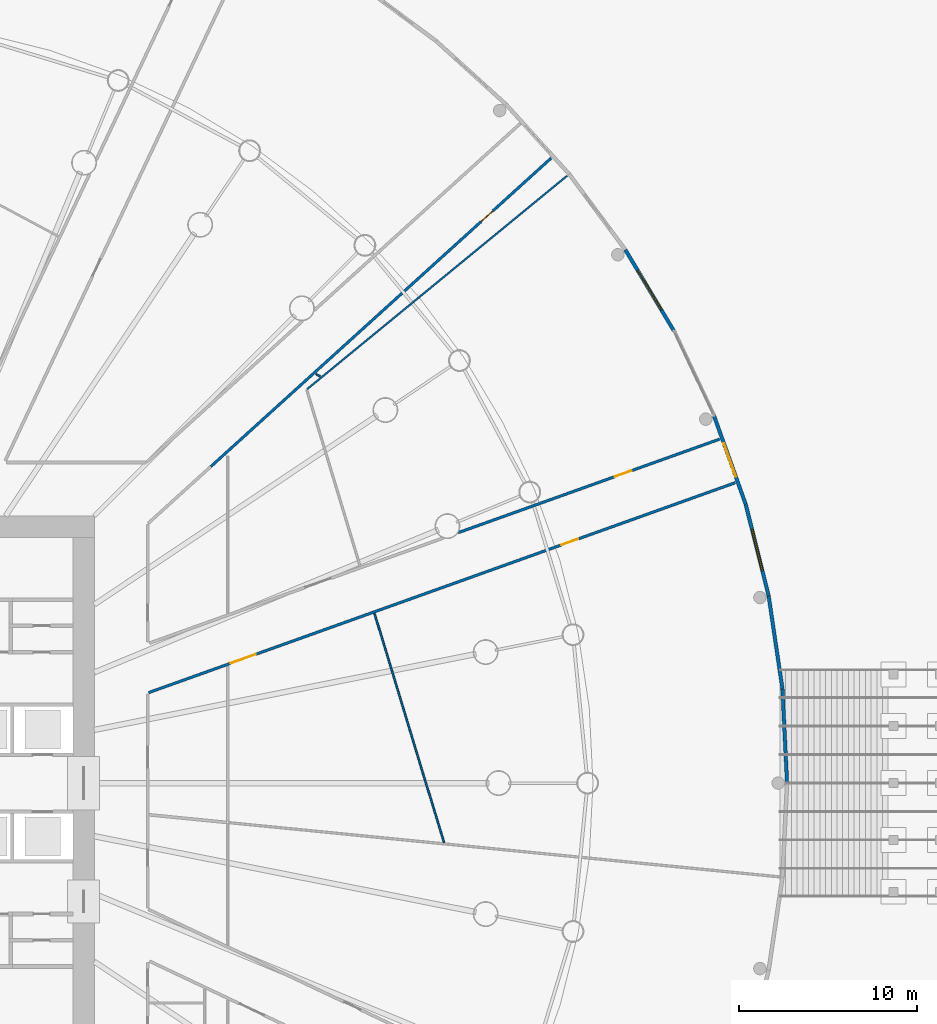
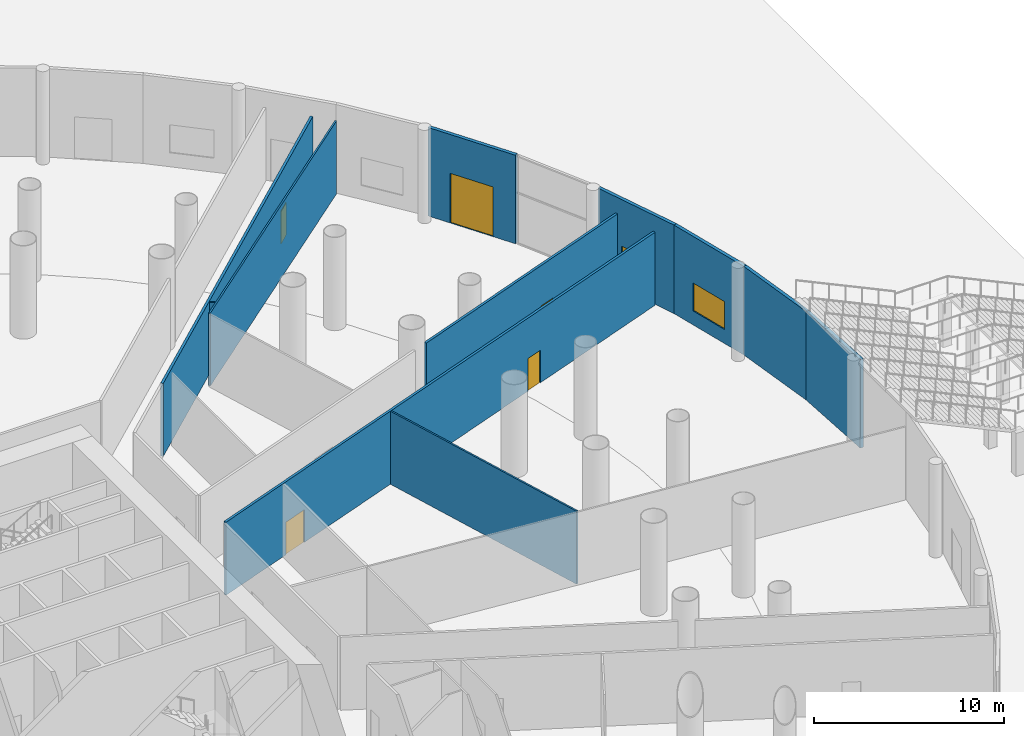
# One storey, part 22 of 33: 11 walls, 6 doors, 1 window, 7 openings.
"""IFC4 building model written with IfcOpenShell, lengths in metres."""

import ifcopenshell
import ifcopenshell.guid

model = None  # the IFC model being written
_history = None  # IfcOwnerHistory: only IFC2X3 demands one
_inside = {}  # id of a spatial element -> (the spatial element, [elements in it])
_under = {}  # id of a project, library or spatial element -> (it, [spatial elements below it])
_declared = {}  # id of a project -> (the project, [libraries it declares])
_typed = {}  # id of a type object -> (the type object, [elements of that type])
_made_of = {}  # id of a material, layer set ... -> (it, [elements and type objects made of it])


def new_model(schema):
    """Start an empty IFC model of exactly this schema.

    Asked for "IFC4X3", IfcOpenShell would pick the latest addendum, in which some entities
    have other attributes; the version numbers below select the first issue.
    IFC2X3 requires an IfcOwnerHistory on every rooted entity: one is made here for all.
    """
    global model, _history
    if schema == "IFC4X3":
        model = ifcopenshell.file(schema_version=(4, 3, 0, 0))
    else:
        model = ifcopenshell.file(schema=schema)
    _inside.clear()
    _under.clear()
    _declared.clear()
    _typed.clear()
    _made_of.clear()
    _history = None
    if model.schema == "IFC2X3":
        org = make("IfcOrganization", Name="unknown")
        user = make(
            "IfcPersonAndOrganization",
            ThePerson=make("IfcPerson", FamilyName="unknown"),
            TheOrganization=org,
        )
        app = make(
            "IfcApplication",
            ApplicationDeveloper=org,
            Version="unknown",
            ApplicationFullName="unknown",
            ApplicationIdentifier="unknown",
        )
        _history = make(
            "IfcOwnerHistory",
            OwningUser=user,
            OwningApplication=app,
            ChangeAction="ADDED",
            CreationDate=0,
        )
    return model


def make(cls, **values):
    """One entity of the class cls with the attributes given. An attribute that is None is left unset."""
    return model.create_entity(
        cls, **{name: value for name, value in values.items() if value is not None}
    )


def rooted(cls, **values):
    """An entity with a GlobalId (a new one), such as an element, a storey or a relation."""
    return make(cls, GlobalId=ifcopenshell.guid.new(), OwnerHistory=_history, **values)


def si_unit(unit_type, name, prefix=None):
    """IfcSIUnit, for example si_unit("LENGTHUNIT", "METRE", prefix="MILLI")."""
    return make("IfcSIUnit", UnitType=unit_type, Prefix=prefix, Name=name)


def assignment(units):
    """IfcUnitAssignment: the units of a project."""
    return None if units is None else make("IfcUnitAssignment", Units=units)


def point(xyz):
    """IfcCartesianPoint."""
    return None if xyz is None else make("IfcCartesianPoint", Coordinates=xyz)


def direction(xyz):
    """IfcDirection."""
    return None if xyz is None else make("IfcDirection", DirectionRatios=xyz)


def frame(location, z_axis=None, x_axis=None):
    """IfcAxis2Placement3D, a coordinate frame: its origin and axes. An axis left out is left unset."""
    return make(
        "IfcAxis2Placement3D",
        Location=point(location),
        Axis=direction(z_axis),
        RefDirection=direction(x_axis),
    )


def frame_2d(location, x_axis=None):
    """IfcAxis2Placement2D, a coordinate frame in the plane: its origin and x axis."""
    return make(
        "IfcAxis2Placement2D", Location=point(location), RefDirection=direction(x_axis)
    )


def origin():
    """The frame at (0, 0, 0) with its axes left unset."""
    return frame((0.0, 0.0, 0.0))


def place(relative_to, where):
    """IfcLocalPlacement: puts the frame where relative to a parent placement (None: the world)."""
    return make(
        "IfcLocalPlacement", PlacementRelTo=relative_to, RelativePlacement=where
    )


def context(
    kind, dimensions, precision=None, world=None, true_north=None, identifier=None
):
    """IfcGeometricRepresentationContext, for example the 3D "Model" context."""
    return make(
        "IfcGeometricRepresentationContext",
        ContextIdentifier=identifier,
        ContextType=kind,
        CoordinateSpaceDimension=dimensions,
        Precision=precision,
        WorldCoordinateSystem=world,
        TrueNorth=true_north,
    )


def subcontext(parent, identifier, kind, view, scale=None):
    """IfcGeometricRepresentationSubContext, for example "Body" below "Model"."""
    return make(
        "IfcGeometricRepresentationSubContext",
        ContextIdentifier=identifier,
        ContextType=kind,
        ParentContext=parent,
        TargetScale=scale,
        TargetView=view,
    )


def project(units=None, contexts=None):
    """IfcProject with its units and contexts."""
    return rooted(
        "IfcProject",
        Name="project",
        RepresentationContexts=contexts,
        UnitsInContext=assignment(units),
    )


def spatial(cls, under=None, at=None, **own):
    """A site, building, storey or space (cls), placed at a placement, below another one or the project."""
    s = rooted(cls, ObjectPlacement=at, **own)
    if under is not None:
        _under.setdefault(under.id(), (under, []))[1].append(s)
    return s


def profile(cls, at=None, kind="AREA", **sizes):
    """A parametric profile (cls). Its sizes go by their IFC names, for example OverallWidth=200.0."""
    return make(cls, ProfileType=kind, Position=at, **sizes)


def rectangle(**sizes):
    """IfcRectangleProfileDef."""
    return profile("IfcRectangleProfileDef", **sizes)


def extrude(swept, where, along, depth):
    """IfcExtrudedAreaSolid: the profile swept, set in the frame where, extruded along a direction by depth."""
    return make(
        "IfcExtrudedAreaSolid",
        SweptArea=swept,
        Position=where,
        ExtrudedDirection=direction(along),
        Depth=depth,
    )


def shape(context_of_items, identifier, shape_type, items):
    """IfcShapeRepresentation: the items that make up one representation, for example the "Body"."""
    return make(
        "IfcShapeRepresentation",
        ContextOfItems=context_of_items,
        RepresentationIdentifier=identifier,
        RepresentationType=shape_type,
        Items=items,
    )


def material(Name=None, Category=None):
    """IfcMaterial."""
    return make("IfcMaterial", Name=Name, Category=Category)


def layer(
    of_material, thickness, ventilated=None, Name=None, Category=None, Priority=None
):
    """IfcMaterialLayer: one layer of a wall or slab, of a material (None: an air gap)."""
    return make(
        "IfcMaterialLayer",
        Material=of_material,
        LayerThickness=thickness,
        IsVentilated=ventilated,
        Name=Name,
        Category=Category,
        Priority=Priority,
    )


def layer_set(layers, Name=None):
    """IfcMaterialLayerSet."""
    return make("IfcMaterialLayerSet", MaterialLayers=layers, LayerSetName=Name)


def made_of(thing, what):
    """Note that an element or type object is made of a material, layer set ...; save() writes the relation."""
    if what is not None:
        _made_of.setdefault(what.id(), (what, []))[1].append(thing)
    return thing


def type_object(cls, material=None, **own):
    """A type object (cls), such as IfcWallType, which elements share."""
    return made_of(rooted(cls, **own), material)


def element(
    cls,
    number,
    at=None,
    inside=None,
    cuts=None,
    type_object=None,
    material=None,
    context=None,
    identifier="Body",
    shape_type=None,
    held_by="IfcProductDefinitionShape",
    body=None,
    shapes=None,
    **own,
):
    """One element of the class cls, such as IfcWall. Its Tag is "e" and its number.

    at: its placement. inside: the storey or other place that contains it. cuts: it is an
    opening in that element (IfcRelVoidsElement). A single representation is given by context,
    identifier, shape_type and body (its items); several are given by shapes. held_by: the class
    of the entity that holds the representations. save() writes the other relations.
    """
    e = rooted(cls, Tag="e%d" % number, ObjectPlacement=at, **own)
    if body is not None:
        shapes = [shape(context, identifier, shape_type, body)]
    if shapes is not None:
        e.Representation = make(held_by, Representations=shapes)
    if inside is not None:
        _inside.setdefault(inside.id(), (inside, []))[1].append(e)
    if cuts is not None:
        rooted(
            "IfcRelVoidsElement", RelatingBuildingElement=cuts, RelatedOpeningElement=e
        )
    if type_object is not None:
        _typed.setdefault(type_object.id(), (type_object, []))[1].append(e)
    return made_of(e, material)


def fill(opening, filler):
    """IfcRelFillsElement: the door or window that sits in an opening."""
    return rooted(
        "IfcRelFillsElement",
        RelatingOpeningElement=opening,
        RelatedBuildingElement=filler,
    )


def aggregate(whole, parts):
    """IfcRelAggregates: a whole, such as a stair, and the parts it consists of."""
    return rooted("IfcRelAggregates", RelatingObject=whole, RelatedObjects=parts)


def save(model, path):
    """Write the relations noted so far, then the file.

    IfcRelAggregates (storeys below a building ...), IfcRelContainedInSpatialStructure (elements
    in a storey), IfcRelDefinesByType, IfcRelAssociatesMaterial and IfcRelDeclares: one each for
    every whole, place, type object, material and project.
    """
    for whole, parts in _under.values():
        aggregate(whole, parts)
    for where, things in _inside.values():
        rooted(
            "IfcRelContainedInSpatialStructure",
            RelatedElements=things,
            RelatingStructure=where,
        )
    for kind, things in _typed.values():
        rooted("IfcRelDefinesByType", RelatedObjects=things, RelatingType=kind)
    for what, things in _made_of.values():
        rooted("IfcRelAssociatesMaterial", RelatedObjects=things, RelatingMaterial=what)
    for by, libraries in _declared.values():
        rooted("IfcRelDeclares", RelatingContext=by, RelatedDefinitions=libraries)
    model.write(path)


model = new_model("IFC4")

# Units and contexts
model_context = context("Model", 3, precision=1e-05, world=origin(), true_north=direction((0.0, 1.0)))
body_context = subcontext(model_context, "Body", "Model", "MODEL_VIEW")
ifc_project = project(units=[si_unit("LENGTHUNIT", "METRE"), si_unit("AREAUNIT", "SQUARE_METRE"), si_unit("VOLUMEUNIT", "CUBIC_METRE"), si_unit("PLANEANGLEUNIT", "RADIAN"), si_unit("MASSUNIT", "GRAM", prefix="KILO")], contexts=[model_context])

# Site, building, storey
site_placement = place(None, origin())
site = spatial("IfcSite", under=ifc_project, at=site_placement, CompositionType="ELEMENT")
building_placement = place(site_placement, origin())
building = spatial("IfcBuilding", under=site, at=building_placement, Name="Corvane Civic Tower", CompositionType="ELEMENT")
storey_placement = place(building_placement, origin())
storey = spatial("IfcBuildingStorey", under=building, at=storey_placement, Name="G", CompositionType="ELEMENT", Elevation=0.0)

# Wall, opening, door
ifc_material_1 = material(Name="Limestone cladding", Category="masonry")
ifc_layer_1 = layer(ifc_material_1, 0.199951171875)
ifc_layer_set_1 = layer_set([ifc_layer_1], Name="Limestone cladding")
wall_type_1 = type_object("IfcWallType", Name="PODIUM-W-PLINTH-200", PredefinedType="SOLIDWALL", material=ifc_layer_set_1)
wall_1_placement = place(storey_placement, frame((44.81884765625, 29.940673828125, 0.0), z_axis=(0.0, 0.0, 1.0), x_axis=(0.514114856697, -0.857721349929, 0.0)))
wall_1 = element("IfcWall", 1, at=wall_1_placement, inside=storey, type_object=wall_type_1, Name="Plinth stone wall 06A", PredefinedType="SOLIDWALL", context=body_context, shape_type="SweptSolid", body=[
    extrude(rectangle(XDim=5.279296875, YDim=0.199951171875, at=frame_2d((2.6396484375, 0.0))), origin(), (0.0, 0.0, 1.0), 5.699951171875),
])
opening_1_placement = place(wall_1_placement, frame((1.339599609375, 0.0, 0.0)))
opening_1 = element("IfcOpeningElement", 2, at=opening_1_placement, cuts=wall_1, Name="Opening ED-G-E06", PredefinedType="OPENING", context=body_context, shape_type="SweptSolid", body=[
    extrude(rectangle(XDim=2.60009765625, YDim=3.199951171875, at=frame_2d((1.300048828125, 1.60009765625))), frame((0.0, 0.10986328125, 0.0), z_axis=(0.0, -1.0, 0.0), x_axis=(1.0, 0.0, 0.0)), (0.0, 0.0, 1.0), 0.219970703125),
])
ifc_material_2 = material(Name="Anodised aluminium and glass", Category="aluminium")
door_type_1 = type_object("IfcDoorType", Name="PODIUM-D-ENTRANCE-2600", OperationType="DOUBLE_DOOR_DOUBLE_SWING", PredefinedType="DOOR", material=ifc_material_2)
door_1_placement = place(opening_1_placement, origin())
door_1 = element("IfcDoor", 3, at=door_1_placement, inside=storey, type_object=door_type_1, Name="Entrance door 06", OperationType="DOUBLE_DOOR_DOUBLE_SWING", OverallHeight=3.199951171875, OverallWidth=2.60009765625, PredefinedType="DOOR", context=body_context, shape_type="SweptSolid", body=[
    extrude(rectangle(XDim=2.60009765625, YDim=3.199951171875, at=frame_2d((1.300048828125, 1.60009765625))), frame((0.0, 0.02490234375, 0.0), z_axis=(0.0, -1.0, 0.0), x_axis=(1.0, 0.0, 0.0)), (0.0, 0.0, 1.0), 0.050048828125),
])
fill(opening_1, door_1)

wall_2_placement = place(storey_placement, frame((49.798583984375, 20.62158203125, 0.0), z_axis=(0.0, 0.0, 1.0), x_axis=(0.336933944331, -0.941528288028, 0.0)))
wall_2 = element("IfcWall", 4, at=wall_2_placement, inside=storey, type_object=wall_type_1, Name="Plinth stone wall 07A", PredefinedType="SOLIDWALL", context=body_context, shape_type="SweptSolid", body=[
    extrude(rectangle(XDim=5.279296875, YDim=0.199951171875, at=frame_2d((2.6396484375, 0.0))), origin(), (0.0, 0.0, 1.0), 5.699951171875),
])
opening_2_placement = place(wall_2_placement, frame((1.6396484375, 0.0, 0.0)))
opening_2 = element("IfcOpeningElement", 5, at=opening_2_placement, cuts=wall_2, Name="Opening ED-G-X07", PredefinedType="OPENING", context=body_context, shape_type="SweptSolid", body=[
    extrude(rectangle(XDim=2.0, YDim=2.699951171875, at=frame_2d((1.0, 1.35009765625))), frame((0.0, 0.10986328125, 0.0), z_axis=(0.0, -1.0, 0.0), x_axis=(1.0, 0.0, 0.0)), (0.0, 0.0, 1.0), 0.219970703125),
])
ifc_material_3 = material(Name="Anodised aluminium and glass", Category="aluminium")
door_type_2 = type_object("IfcDoorType", Name="PODIUM-D-EXIT-2000", OperationType="DOUBLE_DOOR_SINGLE_SWING", PredefinedType="DOOR", material=ifc_material_3)
door_2_placement = place(opening_2_placement, origin())
door_2 = element("IfcDoor", 6, at=door_2_placement, inside=storey, type_object=door_type_2, Name="Exit door 07", OperationType="DOUBLE_DOOR_SINGLE_SWING", OverallHeight=2.699951171875, OverallWidth=2.0, PredefinedType="DOOR", context=body_context, shape_type="SweptSolid", body=[
    extrude(rectangle(XDim=2.0, YDim=2.699951171875, at=frame_2d((1.0, 1.35009765625))), frame((0.0, 0.02490234375, 0.0), z_axis=(0.0, -1.0, 0.0), x_axis=(1.0, 0.0, 0.0)), (0.0, 0.0, 1.0), 0.050048828125),
])
fill(opening_2, door_2)

# Wall, opening, window
wall_3_placement = place(storey_placement, frame((51.580078125, 15.641357421875, 0.0), z_axis=(0.0, 0.0, 1.0), x_axis=(0.243014361132, -0.970022690602, 0.0)))
wall_3 = element("IfcWall", 7, at=wall_3_placement, inside=storey, type_object=wall_type_1, Name="Plinth stone wall 07B", PredefinedType="SOLIDWALL", context=body_context, shape_type="SweptSolid", body=[
    extrude(rectangle(XDim=5.279296875, YDim=0.199951171875, at=frame_2d((2.6396484375, 0.0))), origin(), (0.0, 0.0, 1.0), 5.699951171875),
])
opening_3_placement = place(wall_3_placement, frame((1.439697265625, 0.0, 0.89990234375)))
opening_3 = element("IfcOpeningElement", 8, at=opening_3_placement, cuts=wall_3, Name="Opening EW-G-07", PredefinedType="OPENING", context=body_context, shape_type="SweptSolid", body=[
    extrude(rectangle(XDim=2.39990234375, YDim=1.800048828125, at=frame_2d((1.199951171875, 0.89990234375))), frame((0.0, 0.10986328125, 0.0), z_axis=(0.0, -1.0, 0.0), x_axis=(1.0, 0.0, 0.0)), (0.0, 0.0, 1.0), 0.219970703125),
])
ifc_material_4 = material(Name="Anodised aluminium and glass", Category="aluminium")
window_type = type_object("IfcWindowType", Name="PODIUM-WN-PLINTH-2400x1800", PartitioningType="DOUBLE_PANEL_VERTICAL", PredefinedType="WINDOW", material=ifc_material_4)
window_placement = place(opening_3_placement, origin())
window = element("IfcWindow", 9, at=window_placement, inside=storey, type_object=window_type, Name="Public hall window 07", OverallHeight=1.800048828125, OverallWidth=2.39990234375, PartitioningType="SINGLE_PANEL", PredefinedType="WINDOW", context=body_context, shape_type="SweptSolid", body=[
    extrude(rectangle(XDim=2.39990234375, YDim=1.800048828125, at=frame_2d((1.199951171875, 0.89990234375))), frame((0.0, 0.030029296875, 0.0), z_axis=(0.0, -1.0, 0.0), x_axis=(1.0, 0.0, 0.0)), (0.0, 0.0, 1.0), 0.06005859375),
])
fill(opening_3, window)

# Walls
for number, where, z_axis, x_axis, name in (
    (10, (52.864990234375, 10.51025390625, 0.0), (0.0, 0.0, 1.0), (0.146734692875, -0.989175884212, 0.0), "Plinth stone wall 08A"),
    (11, (53.640625, 5.278076171875, 0.0), (0.0, 0.0, 1.0), (0.0490657505, -0.998795550715, 0.0), "Plinth stone wall 08B"),
):
    element("IfcWall", number, at=place(storey_placement, frame(where, z_axis=z_axis, x_axis=x_axis)), inside=storey, type_object=wall_type_1, Name=name, PredefinedType="SOLIDWALL", context=body_context, shape_type="SweptSolid", body=[
        extrude(rectangle(XDim=5.279296875, YDim=0.199951171875, at=frame_2d((2.6396484375, 0.0))), origin(), (0.0, 0.0, 1.0), 5.699951171875),
    ])
ifc_material_5 = material(Name="Plasterboard")
ifc_layer_2 = layer(ifc_material_5, 0.10009765625)
ifc_layer_set_2 = layer_set([ifc_layer_2], Name="Plasterboard")
wall_type_2 = type_object("IfcWallType", Name="Partition 100 plasterboard on studs", PredefinedType="PARTITIONING", material=ifc_layer_set_2)
wall_4_placement = place(storey_placement, frame((30.732177734375, 9.533203125, 0.0), z_axis=(0.0, 0.0, 1.0), x_axis=(0.290274806129, -0.95694333005, 0.0)))
element("IfcWall", 12, at=wall_4_placement, inside=storey, type_object=wall_type_2, Name="Partition G.055", PredefinedType="PARTITIONING", context=body_context, shape_type="SweptSolid", body=[
    extrude(rectangle(XDim=13.45458984375, YDim=0.10009765625, at=frame_2d((6.727294921875, 0.0))), origin(), (0.0, 0.0, 1.0), 4.699951171875),
])
wall_5_placement = place(storey_placement, frame((26.947509765625, 22.115234375, 0.0), z_axis=(0.0, 0.0, 1.0), x_axis=(0.77301031266, 0.63439345561, 0.0)))
element("IfcWall", 13, at=wall_5_placement, inside=storey, type_object=wall_type_2, Name="Partition G.087", PredefinedType="PARTITIONING", context=body_context, shape_type="SweptSolid", body=[
    extrude(rectangle(XDim=18.8896484375, YDim=0.10009765625, at=frame_2d((9.44482421875, 0.0))), origin(), (0.0, 0.0, 1.0), 4.699951171875),
])
wall_6_placement = place(storey_placement, frame((27.447265625, 22.967041015625, 0.0), z_axis=(0.0, 0.0, 1.0), x_axis=(0.881706551787, -0.47179821591, 0.0)))
element("IfcWall", 14, at=wall_6_placement, inside=storey, type_object=wall_type_2, Name="Partition G.098", PredefinedType="PARTITIONING", context=body_context, shape_type="SweptSolid", body=[
    extrude(rectangle(XDim=0.272216796875, YDim=0.10009765625, at=frame_2d((0.13623046875, 0.0))), origin(), (0.0, 0.0, 1.0), 4.699951171875),
])

# Wall, openings, doors
ifc_material_6 = material(Name="Plasterboard")
ifc_layer_3 = layer(ifc_material_6, 0.14990234375)
ifc_layer_set_3 = layer_set([ifc_layer_3], Name="Plasterboard")
wall_type_3 = type_object("IfcWallType", Name="Tenancy wall 150 EI 60", PredefinedType="PARTITIONING", material=ifc_layer_set_3)
wall_7_placement = place(storey_placement, frame((18.0498046875, 5.07763671875, 0.0), z_axis=(0.0, 0.0, 1.0), x_axis=(0.941544209576, 0.336889449842, 0.0)))
wall_7 = element("IfcWall", 15, at=wall_7_placement, inside=storey, type_object=wall_type_3, Name="Partition G.060", PredefinedType="PARTITIONING", context=body_context, shape_type="SweptSolid", body=[
    extrude(rectangle(XDim=34.97998046875, YDim=0.14990234375, at=frame_2d((17.489990234375, 0.0))), origin(), (0.0, 0.0, 1.0), 4.699951171875),
])
opening_4_placement = place(wall_7_placement, frame((24.61083984375, 0.0, 0.0)))
opening_4 = element("IfcOpeningElement", 16, at=opening_4_placement, cuts=wall_7, Name="Opening G.005", PredefinedType="OPENING", context=body_context, shape_type="SweptSolid", body=[
    extrude(rectangle(XDim=1.0, YDim=2.10009765625, at=frame_2d((0.5, 1.050048828125))), frame((0.0, 0.0849609375, 0.0), z_axis=(0.0, -1.0, 0.0), x_axis=(1.0, 0.0, 0.0)), (0.0, 0.0, 1.0), 0.169921875),
])
opening_5_placement = place(wall_7_placement, frame((4.88671875, 0.0, 0.0)))
opening_5 = element("IfcOpeningElement", 17, at=opening_5_placement, cuts=wall_7, Name="Opening G.007", PredefinedType="OPENING", context=body_context, shape_type="SweptSolid", body=[
    extrude(rectangle(XDim=1.5, YDim=2.10009765625, at=frame_2d((0.75, 1.050048828125))), frame((0.0, 0.0849609375, 0.0), z_axis=(0.0, -1.0, 0.0), x_axis=(1.0, 0.0, 0.0)), (0.0, 0.0, 1.0), 0.169921875),
])
ifc_material_7 = material(Name="Steel and timber", Category="steel")
door_type_3 = type_object("IfcDoorType", Name="Fire door FD30S 1000", OperationType="NOTDEFINED", PredefinedType="DOOR", material=ifc_material_7)
door_3_placement = place(opening_4_placement, frame((1.0, 0.0, 0.0), z_axis=(0.0, 0.0, 1.0), x_axis=(-1.0, 0.0, 0.0)))
door_3 = element("IfcDoor", 18, at=door_3_placement, inside=storey, type_object=door_type_3, Name="Door G.005", OperationType="SINGLE_SWING_LEFT", OverallHeight=2.10009765625, OverallWidth=1.0, PredefinedType="DOOR", context=body_context, shape_type="SweptSolid", body=[
    extrude(rectangle(XDim=1.0, YDim=2.10009765625, at=frame_2d((0.5, 1.050048828125))), frame((0.0, 0.02490234375, 0.0), z_axis=(0.0, -1.0, 0.0), x_axis=(1.0, 0.0, 0.0)), (0.0, 0.0, 1.0), 0.050048828125),
])
fill(opening_4, door_3)
ifc_material_8 = material(Name="Steel and timber", Category="steel")
door_type_4 = type_object("IfcDoorType", Name="Fire door FD60 double 1500", OperationType="NOTDEFINED", PredefinedType="DOOR", material=ifc_material_8)
door_4_placement = place(opening_5_placement, frame((1.5, 0.0, 0.0), z_axis=(0.0, 0.0, 1.0), x_axis=(-1.0, 0.0, 0.0)))
door_4 = element("IfcDoor", 19, at=door_4_placement, inside=storey, type_object=door_type_4, Name="Door G.007", OperationType="DOUBLE_DOOR_SINGLE_SWING", OverallHeight=2.10009765625, OverallWidth=1.5, PredefinedType="DOOR", context=body_context, shape_type="SweptSolid", body=[
    extrude(rectangle(XDim=1.5, YDim=2.10009765625, at=frame_2d((0.75, 1.050048828125))), frame((0.0, 0.02490234375, 0.0), z_axis=(0.0, -1.0, 0.0), x_axis=(1.0, 0.0, 0.0)), (0.0, 0.0, 1.0), 0.050048828125),
])
fill(opening_5, door_4)

# Wall, opening, door
wall_8_placement = place(storey_placement, frame((35.437255859375, 14.060302734375, 0.0), z_axis=(0.0, 0.0, 1.0), x_axis=(0.941540759411, 0.336899092264, 0.0)))
wall_8 = element("IfcWall", 20, at=wall_8_placement, inside=storey, type_object=wall_type_3, Name="Partition G.068", PredefinedType="PARTITIONING", context=body_context, shape_type="SweptSolid", body=[
    extrude(rectangle(XDim=15.58251953125, YDim=0.14990234375, at=frame_2d((7.791259765625, 0.0))), origin(), (0.0, 0.0, 1.0), 4.699951171875),
])
opening_6_placement = place(wall_8_placement, frame((9.336181640625, 0.0, 0.0)))
opening_6 = element("IfcOpeningElement", 21, at=opening_6_placement, cuts=wall_8, Name="Opening G.006", PredefinedType="OPENING", context=body_context, shape_type="SweptSolid", body=[
    extrude(rectangle(XDim=1.0, YDim=2.10009765625, at=frame_2d((0.5, 1.050048828125))), frame((0.0, 0.0849609375, 0.0), z_axis=(0.0, -1.0, 0.0), x_axis=(1.0, 0.0, 0.0)), (0.0, 0.0, 1.0), 0.169921875),
])
door_5_placement = place(opening_6_placement, origin())
door_5 = element("IfcDoor", 22, at=door_5_placement, inside=storey, type_object=door_type_3, Name="Door G.006", OperationType="SINGLE_SWING_RIGHT", OverallHeight=2.10009765625, OverallWidth=1.0, PredefinedType="DOOR", context=body_context, shape_type="SweptSolid", body=[
    extrude(rectangle(XDim=1.0, YDim=2.10009765625, at=frame_2d((0.5, 1.050048828125))), frame((0.0, 0.02490234375, 0.0), z_axis=(0.0, -1.0, 0.0), x_axis=(1.0, 0.0, 0.0)), (0.0, 0.0, 1.0), 0.050048828125),
])
fill(opening_6, door_5)

wall_9_placement = place(storey_placement, frame((21.5400390625, 17.768310546875, 0.0), z_axis=(0.0, 0.0, 1.0), x_axis=(0.740950890062, 0.671559214453, 0.0)))
wall_9 = element("IfcWall", 23, at=wall_9_placement, inside=storey, type_object=wall_type_3, Name="Partition G.072", PredefinedType="PARTITIONING", context=body_context, shape_type="SweptSolid", body=[
    extrude(rectangle(XDim=25.792724609375, YDim=0.14990234375, at=frame_2d((12.896484375, 0.0))), origin(), (0.0, 0.0, 1.0), 4.699951171875),
])
opening_7_placement = place(wall_9_placement, frame((20.4814453125, 0.0, 0.0)))
opening_7 = element("IfcOpeningElement", 24, at=opening_7_placement, cuts=wall_9, Name="Opening G.001", PredefinedType="OPENING", context=body_context, shape_type="SweptSolid", body=[
    extrude(rectangle(XDim=0.89990234375, YDim=2.10009765625, at=frame_2d((0.449951171875, 1.050048828125))), frame((0.0, 0.0849609375, 0.0), z_axis=(0.0, -1.0, 0.0), x_axis=(1.0, 0.0, 0.0)), (0.0, 0.0, 1.0), 0.169921875),
])
ifc_material_9 = material(Name="Steel and timber", Category="steel")
door_type_5 = type_object("IfcDoorType", Name="Fire door FD30S 900", OperationType="NOTDEFINED", PredefinedType="DOOR", material=ifc_material_9)
door_6_placement = place(opening_7_placement, frame((0.89990234375, 0.0, 0.0), z_axis=(0.0, 0.0, 1.0), x_axis=(-1.0, 0.0, 0.0)))
door_6 = element("IfcDoor", 25, at=door_6_placement, inside=storey, type_object=door_type_5, Name="Door G.001", OperationType="SINGLE_SWING_LEFT", OverallHeight=2.10009765625, OverallWidth=0.89990234375, PredefinedType="DOOR", context=body_context, shape_type="SweptSolid", body=[
    extrude(rectangle(XDim=0.89990234375, YDim=2.10009765625, at=frame_2d((0.449951171875, 1.050048828125))), frame((0.0, 0.02490234375, 0.0), z_axis=(0.0, -1.0, 0.0), x_axis=(1.0, 0.0, 0.0)), (0.0, 0.0, 1.0), 0.050048828125),
])
fill(opening_7, door_6)

save(model, "model.ifc")
